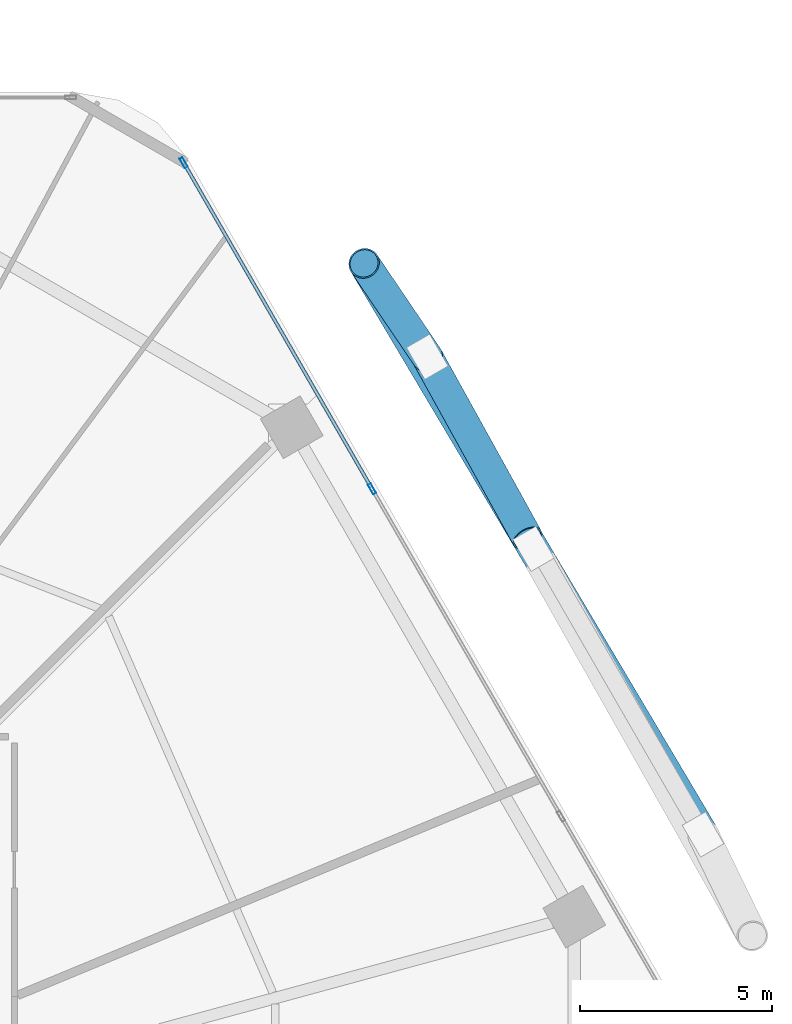
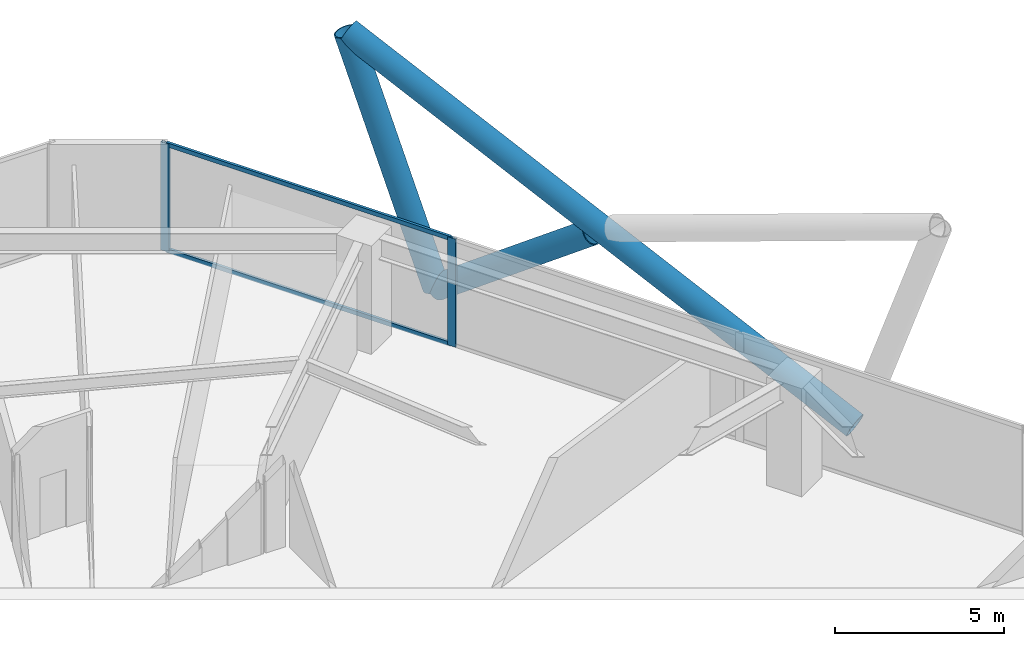
# One storey, part 22 of 28: 7 members, 1 element without a shape of its own.
"""IFC4 building model written with IfcOpenShell, lengths in metres."""

from ifc_helpers import new_model, si_unit, direction, frame, origin, origin_2d, place, context, subcontext, project, spatial, hollow_rectangle, hollow_circle, extrude, material, material_profile, profile_set, type_object, element, aggregate, save


model = new_model("IFC4")

# Units and contexts
model_context = context("Model", 3, precision=1e-05, world=origin(), true_north=direction((0.0, 1.0)))
body_context = subcontext(model_context, "Body", "Model", "MODEL_VIEW")
ifc_project = project(units=[si_unit("LENGTHUNIT", "METRE"), si_unit("AREAUNIT", "SQUARE_METRE"), si_unit("VOLUMEUNIT", "CUBIC_METRE"), si_unit("PLANEANGLEUNIT", "RADIAN"), si_unit("MASSUNIT", "GRAM", prefix="KILO")], contexts=[model_context])

# Site, building, storey
site_placement = place(None, origin())
site = spatial("IfcSite", under=ifc_project, at=site_placement, CompositionType="ELEMENT")
building_placement = place(site_placement, origin())
building = spatial("IfcBuilding", under=site, at=building_placement, Name="Zuhravey Tower", CompositionType="ELEMENT")
storey_placement = place(building_placement, frame((0.0, 0.0, 66.60009765625)))
storey = spatial("IfcBuildingStorey", under=building, at=storey_placement, Name="L16", CompositionType="ELEMENT", Elevation=66.60009765625)

# Curtain wall, members
ifc_material_1 = material(Name="Thermally broken anodised aluminium", Category="aluminium")
curtain_wall_type = type_object("IfcCurtainWallType", Name="School Low-E Unitised Curtain Wall CW1", PredefinedType="NOTDEFINED", material=ifc_material_1)
curtain_wall_placement = place(storey_placement, origin())
curtain_wall = element("IfcCurtainWall", 1, at=curtain_wall_placement, inside=storey, type_object=curtain_wall_type, Name="L16 CW1 CW-L16-F1-1", PredefinedType="NOTDEFINED")
ifc_material_2 = material(Name="Anodised aluminium", Category="aluminium")
ifc_material_profile_1 = material_profile(ifc_material_2, hollow_rectangle(XDim=0.090087890625, YDim=0.284912109375, WallThickness=0.0048828125, at=origin_2d()), Name="ALU-RHS-90x285x5")
ifc_profile_set_1 = profile_set([ifc_material_profile_1], Name="Anodised aluminium")
member_type_1 = type_object("IfcMemberType", Name="Curtain-Wall Mullion 90x180", PredefinedType="MULLION", material=ifc_profile_set_1)
member_1_placement = place(storey_placement, frame((53.701416015625, 59.257080078125, 0.0), z_axis=(0.0, 0.0, 1.0), x_axis=(0.86602552265, 0.499999794119, 0.0)))
member_1 = element("IfcMember", 2, at=member_1_placement, type_object=member_type_1, Name="CW1 mullion 1", PredefinedType="MULLION", context=body_context, shape_type="SweptSolid", body=[
    extrude(hollow_rectangle(XDim=0.090087890625, YDim=0.284912109375, WallThickness=0.0048828125, at=origin_2d()), origin(), (0.0, 0.0, 1.0), 3.919921875),
])
member_2_placement = place(storey_placement, frame((58.612060546875, 50.75146484375, 0.0), z_axis=(0.0, 0.0, 1.0), x_axis=(0.86602552265, 0.499999794119, 0.0)))
member_2 = element("IfcMember", 3, at=member_2_placement, type_object=member_type_1, Name="CW1 mullion 2", PredefinedType="MULLION", context=body_context, shape_type="SweptSolid", body=[
    extrude(hollow_rectangle(XDim=0.090087890625, YDim=0.284912109375, WallThickness=0.0048828125, at=origin_2d()), origin(), (0.0, 0.0, 1.0), 3.919921875),
])
ifc_material_profile_2 = material_profile(ifc_material_2, hollow_rectangle(XDim=0.090087890625, YDim=0.14990234375, WallThickness=0.0048828125, at=origin_2d()), Name="ALU-RHS-90x150x5")
ifc_profile_set_2 = profile_set([ifc_material_profile_2], Name="Anodised aluminium")
member_type_2 = type_object("IfcMemberType", Name="Curtain-Wall Transom 90x150", PredefinedType="USERDEFINED", material=ifc_profile_set_2)
member_3_placement = place(storey_placement, frame((53.72412109375, 59.218017578125, 0.044921875), z_axis=(0.499989576763, -0.86603142156, 0.0), x_axis=(0.86603142156, 0.499989576763, 0.0)))
member_3 = element("IfcMember", 4, at=member_3_placement, type_object=member_type_2, Name="CW1 transom 1.1", ObjectType="TRANSOM", PredefinedType="USERDEFINED", context=body_context, shape_type="SweptSolid", body=[
    extrude(hollow_rectangle(XDim=0.090087890625, YDim=0.14990234375, WallThickness=0.0048828125, at=origin_2d()), origin(), (0.0, 0.0, 1.0), 9.731201171875),
])
member_4_placement = place(storey_placement, frame((53.72412109375, 59.218017578125, 3.875), z_axis=(0.499989576763, -0.86603142156, 0.0), x_axis=(0.86603142156, 0.499989576763, 0.0)))
member_4 = element("IfcMember", 5, at=member_4_placement, type_object=member_type_2, Name="CW1 transom 1.2", ObjectType="TRANSOM", PredefinedType="USERDEFINED", context=body_context, shape_type="SweptSolid", body=[
    extrude(hollow_rectangle(XDim=0.090087890625, YDim=0.14990234375, WallThickness=0.0048828125, at=origin_2d()), origin(), (0.0, 0.0, 1.0), 9.731201171875),
])
aggregate(curtain_wall, [member_1, member_2, member_3, member_4])

# Members
ifc_material_3 = material(Name="Steel SM460", Category="steel")
ifc_material_profile_3 = material_profile(ifc_material_3, hollow_circle(Radius=0.406494140625, WallThickness=0.035888671875, at=origin_2d()), Name="CHS-812.8x36")
ifc_profile_set_3 = profile_set([ifc_material_profile_3], Name="Steel SM460")
member_type_3 = type_object("IfcMemberType", Name="Exoskeleton Zone 1 Diagrid CHS813x36", PredefinedType="BRACE", material=ifc_profile_set_3)
member_5_placement = place(storey_placement, frame((67.224609375, 41.773193359375, -0.47216796875), z_axis=(-0.459349067621, 0.773813567476, 0.436131857202), x_axis=(-0.859904858336, -0.510454341358, 0.0)))
element("IfcMember", 6, at=member_5_placement, inside=storey, type_object=member_type_3, Name="L16 Face 1 Diagrid Brace 2", PredefinedType="BRACE", context=body_context, shape_type="SweptSolid", body=[
    extrude(hollow_circle(Radius=0.406494140625, WallThickness=0.035888671875, at=origin_2d()), origin(), (0.0, 0.0, 1.0), 19.1591796875),
])
member_6_placement = place(storey_placement, frame((60.049560546875, 54.20068359375, -0.47216796875), z_axis=(-0.185688463241, 0.274480408031, 0.943493667295), x_axis=(-0.828268651901, -0.560331188029, 0.0)))
element("IfcMember", 7, at=member_6_placement, inside=storey, type_object=member_type_3, Name="L16 Face 1 Diagrid Brace 4", PredefinedType="BRACE", context=body_context, shape_type="SweptSolid", body=[
    extrude(hollow_circle(Radius=0.406494140625, WallThickness=0.035888671875, at=origin_2d()), origin(), (0.0, 0.0, 1.0), 8.8564453125),
])
member_7_placement = place(storey_placement, frame((60.07373046875, 54.15869140625, -0.46435546875), z_axis=(0.390204853366, -0.705466299041, 0.591656550143), x_axis=(0.875061939195, 0.484010952946, 0.0)))
element("IfcMember", 8, at=member_7_placement, inside=storey, type_object=member_type_3, Name="L16 Face 1 Split Diagrid Brace 3A", PredefinedType="BRACE", context=body_context, shape_type="SweptSolid", body=[
    extrude(hollow_circle(Radius=0.406494140625, WallThickness=0.035888671875, at=origin_2d()), origin(), (0.0, 0.0, 1.0), 6.652099609375),
])

save(model, "model.ifc")
